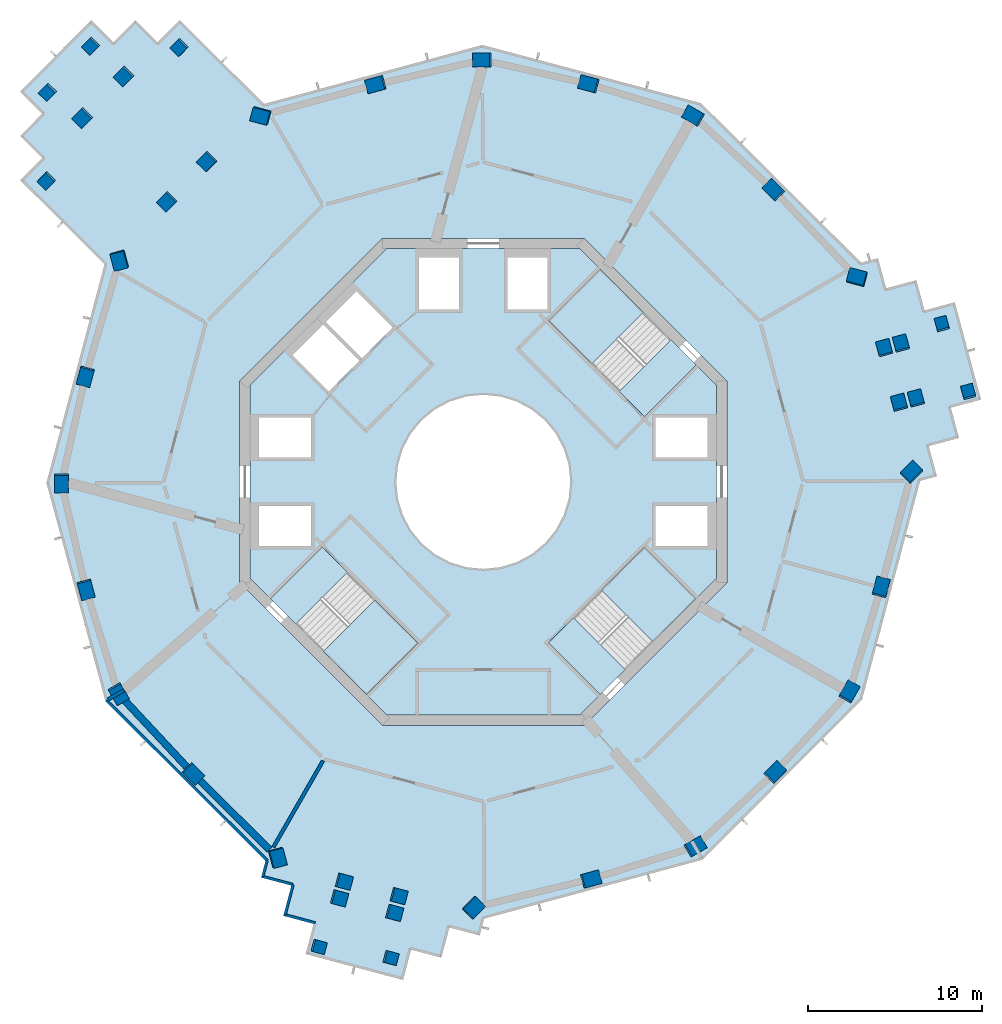
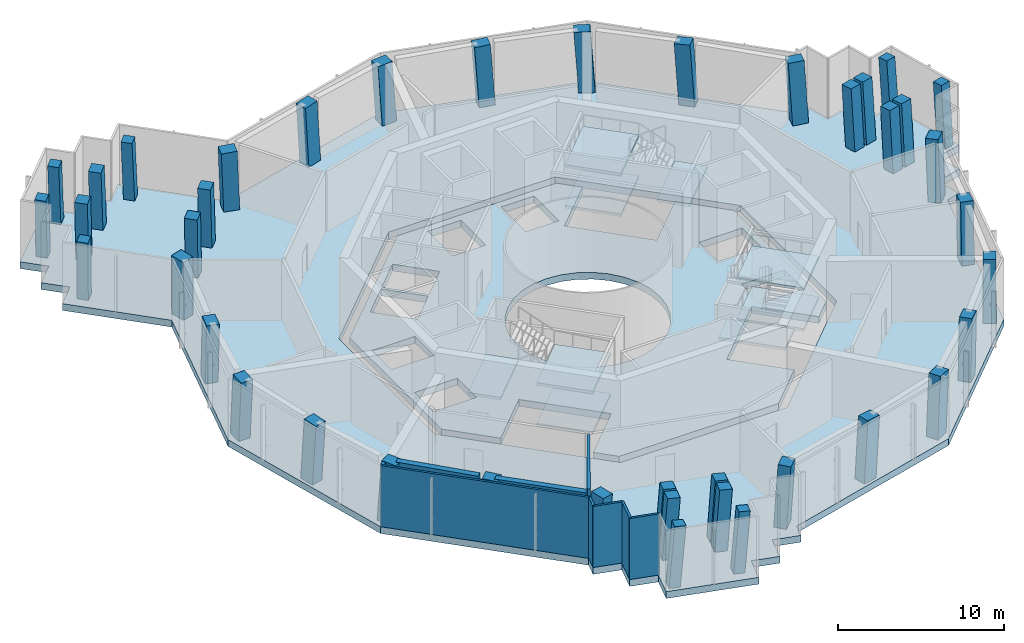
# One storey, part 1 of 16: 41 columns, 11 slabs, 9 walls, 3 elements without a shape of their own.
"""IFC4 building model written with IfcOpenShell, lengths in metres."""

from ifc_helpers import new_model, si_unit, direction, frame, frame_2d, origin, origin_2d, place, context, subcontext, project, spatial, polyline, rectangle, outline, extrude, material, layer, layer_set, material_profile, profile_set, type_object, element, aggregate, save


model = new_model("IFC4")

# Units and contexts
model_context = context("Model", 3, precision=1e-05, world=origin(), true_north=direction((0.0, 1.0)))
body_context = subcontext(model_context, "Body", "Model", "MODEL_VIEW")
ifc_project = project(units=[si_unit("LENGTHUNIT", "METRE"), si_unit("AREAUNIT", "SQUARE_METRE"), si_unit("VOLUMEUNIT", "CUBIC_METRE"), si_unit("PLANEANGLEUNIT", "RADIAN"), si_unit("MASSUNIT", "GRAM", prefix="KILO")], contexts=[model_context])

# Site, building, storey
site_placement = place(None, origin())
site = spatial("IfcSite", under=ifc_project, at=site_placement, CompositionType="ELEMENT")
building_placement = place(site_placement, origin())
building = spatial("IfcBuilding", under=site, at=building_placement, Name="Verdalira Terraces Hotel", CompositionType="ELEMENT")
storey_placement = place(building_placement, frame((0.0, 0.0, 216.0)))
storey = spatial("IfcBuildingStorey", under=building, at=storey_placement, Name="L53", CompositionType="ELEMENT", Elevation=216.0)

# Columns
ifc_material_1 = material(Name="Concrete C60", Category="concrete")
ifc_material_profile_1 = material_profile(ifc_material_1, rectangle(XDim=1.0, YDim=0.800049, at=origin_2d()), Name="RC 1000X800")
ifc_profile_set_1 = profile_set([ifc_material_profile_1], Name="Concrete C60")
column_type_1 = type_object("IfcColumnType", Name="Column RC 1000X800 C60", PredefinedType="COLUMN", material=ifc_profile_set_1)
column_1_placement = place(storey_placement, frame((-20.90625, 12.746338, 0.0), z_axis=(-0.035020289, -0.058511488, 0.997672283), x_axis=(-0.262611491, 0.963741459, 0.047303325)))
element("IfcColumn", 1, at=column_1_placement, inside=storey, type_object=column_type_1, Name="Column C03", PredefinedType="COLUMN", context=body_context, shape_type="SweptSolid", body=[
    extrude(rectangle(XDim=1.0, YDim=0.800049, at=origin_2d()), origin(), (0.0, 0.0, 1.0), 4.510498),
])
column_2_placement = place(storey_placement, frame((-22.86499, 6.075439, 0.0), z_axis=(-0.016403011, -0.063879714, 0.997822792), x_axis=(-0.256291966, -0.964346959, -0.065949755)))
element("IfcColumn", 2, at=column_2_placement, inside=storey, type_object=column_type_1, Name="Column C04", PredefinedType="COLUMN", context=body_context, shape_type="SweptSolid", body=[
    extrude(rectangle(XDim=1.0, YDim=0.800049, at=origin_2d()), origin(), (0.0, 0.0, 1.0), 4.509766),
])
column_3_placement = place(storey_placement, frame((-24.254639, -0.050781, 0.0), z_axis=(0.000703681, -0.067607529, 0.997711745), x_axis=(-0.001987356, 0.997709928, 0.067608807)))
element("IfcColumn", 3, at=column_3_placement, inside=storey, type_object=column_type_1, Name="Column C05", PredefinedType="COLUMN", context=body_context, shape_type="SweptSolid", body=[
    extrude(rectangle(XDim=1.0, YDim=0.800049, at=origin_2d()), origin(), (0.0, 0.0, 1.0), 4.510254),
])
column_4_placement = place(storey_placement, frame((-22.839355, -6.171143, 0.0), z_axis=(0.017702295, -0.063500893, 0.997824767), x_axis=(0.259853033, -0.963395543, -0.065919863)))
element("IfcColumn", 4, at=column_4_placement, inside=storey, type_object=column_type_1, Name="Column C06", PredefinedType="COLUMN", context=body_context, shape_type="SweptSolid", body=[
    extrude(rectangle(XDim=1.0, YDim=0.800049, at=origin_2d()), origin(), (0.0, 0.0, 1.0), 4.509766),
])
column_5_placement = place(storey_placement, frame((-20.979736, -12.171387, 0.0), z_axis=(0.034372297, -0.058135192, 0.997716816), x_axis=(-0.500537548, 0.863076665, 0.067533945)))
element("IfcColumn", 5, at=column_5_placement, inside=storey, type_object=column_type_1, Name="Column C07", PredefinedType="COLUMN", context=body_context, shape_type="SweptSolid", body=[
    extrude(rectangle(XDim=1.0, YDim=0.800049, at=origin_2d()), origin(), (0.0, 0.0, 1.0), 4.510254),
])
column_6_placement = place(storey_placement, frame((-16.693848, -16.763916, 0.0), z_axis=(0.047097852, -0.046123414, 0.997824846), x_axis=(0.707006185, -0.704128528, -0.065918668)))
element("IfcColumn", 6, at=column_6_placement, inside=storey, type_object=column_type_1, Name="Column C08", PredefinedType="COLUMN", context=body_context, shape_type="SweptSolid", body=[
    extrude(rectangle(XDim=1.0, YDim=0.800049, at=origin_2d()), origin(), (0.0, 0.0, 1.0), 4.509766),
])
for number, where, z_axis, x_axis, name in (
    (7, (-11.842529, -21.594971, 0.0), (0.060404321, -0.032475441, 0.99764556), (-0.25821904, 0.964940247, 0.047045171), "Column C09"),
    (8, (-0.585693, -24.478516, 0.0), (0.068254046, -0.001082538, 0.997667386), (-0.703405804, -0.709209397, 0.047353002), "Column C12"),
):
    element("IfcColumn", number, at=place(storey_placement, frame(where, z_axis=z_axis, x_axis=x_axis)), inside=storey, type_object=column_type_1, Name=name, PredefinedType="COLUMN", context=body_context, shape_type="SweptSolid", body=[
        extrude(rectangle(XDim=1.0, YDim=0.800049, at=origin_2d()), origin(), (0.0, 0.0, 1.0), 4.510498),
    ])
column_7_placement = place(storey_placement, frame((6.171143, -22.839355, 0.0), z_axis=(0.063500893, 0.017702295, 0.997824767), x_axis=(0.963395543, 0.259853033, -0.065919863)))
element("IfcColumn", 9, at=column_7_placement, inside=storey, type_object=column_type_1, Name="Column C13", PredefinedType="COLUMN", context=body_context, shape_type="SweptSolid", body=[
    extrude(rectangle(XDim=1.0, YDim=0.800049, at=origin_2d()), origin(), (0.0, 0.0, 1.0), 4.509766),
])
column_8_placement = place(storey_placement, frame((12.171387, -20.979736, 0.0), z_axis=(0.058135192, 0.034372297, 0.997716816), x_axis=(-0.863076665, -0.500537548, 0.067533945)))
element("IfcColumn", 10, at=column_8_placement, inside=storey, type_object=column_type_1, Name="Column C14", PredefinedType="COLUMN", context=body_context, shape_type="SweptSolid", body=[
    extrude(rectangle(XDim=1.0, YDim=0.800049, at=origin_2d()), origin(), (0.0, 0.0, 1.0), 4.510254),
])
column_9_placement = place(storey_placement, frame((16.763916, -16.693848, 0.0), z_axis=(0.046123414, 0.047097852, 0.997824846), x_axis=(0.704128528, 0.707006185, -0.065918668)))
element("IfcColumn", 11, at=column_9_placement, inside=storey, type_object=column_type_1, Name="Column C15", PredefinedType="COLUMN", context=body_context, shape_type="SweptSolid", body=[
    extrude(rectangle(XDim=1.0, YDim=0.800049, at=origin_2d()), origin(), (0.0, 0.0, 1.0), 4.509766),
])
column_10_placement = place(storey_placement, frame((21.030518, -12.083496, 0.0), z_axis=(0.033181309, 0.058892764, 0.997712706), x_axis=(-0.497044856, -0.865088075, 0.067594636)))
element("IfcColumn", 12, at=column_10_placement, inside=storey, type_object=column_type_1, Name="Column C16", PredefinedType="COLUMN", context=body_context, shape_type="SweptSolid", body=[
    extrude(rectangle(XDim=1.0, YDim=0.800049, at=origin_2d()), origin(), (0.0, 0.0, 1.0), 4.510254),
])
column_11_placement = place(storey_placement, frame((22.86499, -6.075439, 0.0), z_axis=(0.016403011, 0.063879714, 0.997822792), x_axis=(0.256291966, 0.964346959, -0.065949755)))
element("IfcColumn", 13, at=column_11_placement, inside=storey, type_object=column_type_1, Name="Column C17", PredefinedType="COLUMN", context=body_context, shape_type="SweptSolid", body=[
    extrude(rectangle(XDim=1.0, YDim=0.800049, at=origin_2d()), origin(), (0.0, 0.0, 1.0), 4.509766),
])
column_12_placement = place(storey_placement, frame((24.623047, 0.541504, 0.0), z_axis=(-0.002056774, 0.068577179, 0.997643694), x_axis=(-0.706776181, -0.705869981, 0.04706379)))
element("IfcColumn", 14, at=column_12_placement, inside=storey, type_object=column_type_1, Name="Column C18", PredefinedType="COLUMN", context=body_context, shape_type="SweptSolid", body=[
    extrude(rectangle(XDim=1.0, YDim=0.800049, at=origin_2d()), origin(), (0.0, 0.0, 1.0), 4.510742),
])
column_13_placement = place(storey_placement, frame((21.491699, 11.732178, 0.0), z_axis=(-0.033179926, 0.059593961, 0.997671114), x_axis=(0.965969708, -0.25429077, 0.047315189)))
element("IfcColumn", 15, at=column_13_placement, inside=storey, type_object=column_type_1, Name="Column C21", PredefinedType="COLUMN", context=body_context, shape_type="SweptSolid", body=[
    extrude(rectangle(XDim=1.0, YDim=0.800049, at=origin_2d()), origin(), (0.0, 0.0, 1.0), 4.510498),
])
column_14_placement = place(storey_placement, frame((16.693848, 16.763916, 0.0), z_axis=(-0.047097852, 0.046123414, 0.997824846), x_axis=(-0.707006185, 0.704128528, -0.065918668)))
element("IfcColumn", 16, at=column_14_placement, inside=storey, type_object=column_type_1, Name="Column C22", PredefinedType="COLUMN", context=body_context, shape_type="SweptSolid", body=[
    extrude(rectangle(XDim=1.0, YDim=0.800049, at=origin_2d()), origin(), (0.0, 0.0, 1.0), 4.509766),
])
column_15_placement = place(storey_placement, frame((12.083496, 21.030518, 0.0), z_axis=(-0.058892764, 0.033181309, 0.997712706), x_axis=(0.865088075, -0.497044856, 0.067594636)))
element("IfcColumn", 17, at=column_15_placement, inside=storey, type_object=column_type_1, Name="Column C23", PredefinedType="COLUMN", context=body_context, shape_type="SweptSolid", body=[
    extrude(rectangle(XDim=1.0, YDim=0.800049, at=origin_2d()), origin(), (0.0, 0.0, 1.0), 4.510254),
])
column_16_placement = place(storey_placement, frame((6.075439, 22.86499, 0.0), z_axis=(-0.063879714, 0.016403011, 0.997822792), x_axis=(-0.964346959, 0.256291966, -0.065949755)))
element("IfcColumn", 18, at=column_16_placement, inside=storey, type_object=column_type_1, Name="Column C24", PredefinedType="COLUMN", context=body_context, shape_type="SweptSolid", body=[
    extrude(rectangle(XDim=1.0, YDim=0.800049, at=origin_2d()), origin(), (0.0, 0.0, 1.0), 4.509766),
])
column_17_placement = place(storey_placement, frame((-0.050781, 24.254639, 0.0), z_axis=(-0.067607529, -0.000703681, 0.997711745), x_axis=(0.997709928, 0.001987356, 0.067608807)))
element("IfcColumn", 19, at=column_17_placement, inside=storey, type_object=column_type_1, Name="Column C25", PredefinedType="COLUMN", context=body_context, shape_type="SweptSolid", body=[
    extrude(rectangle(XDim=1.0, YDim=0.800049, at=origin_2d()), origin(), (0.0, 0.0, 1.0), 4.510254),
])
column_18_placement = place(storey_placement, frame((-6.171143, 22.839355, 0.0), z_axis=(-0.063500893, -0.017702295, 0.997824767), x_axis=(-0.963395543, -0.259853033, -0.065919863)))
element("IfcColumn", 20, at=column_18_placement, inside=storey, type_object=column_type_1, Name="Column C26", PredefinedType="COLUMN", context=body_context, shape_type="SweptSolid", body=[
    extrude(rectangle(XDim=1.0, YDim=0.800049, at=origin_2d()), origin(), (0.0, 0.0, 1.0), 4.509766),
])
column_19_placement = place(storey_placement, frame((-12.780518, 21.053467, 0.0), z_axis=(-0.058347413, -0.036101785, 0.997643343), x_axis=(0.964819199, -0.258666934, 0.047067288)))
element("IfcColumn", 21, at=column_19_placement, inside=storey, type_object=column_type_1, Name="Column C27", PredefinedType="COLUMN", context=body_context, shape_type="SweptSolid", body=[
    extrude(rectangle(XDim=1.0, YDim=0.800049, at=origin_2d()), origin(), (0.0, 0.0, 1.0), 4.510742),
])
ifc_material_2 = material(Name="Concrete C60", Category="concrete")
ifc_material_profile_2 = material_profile(ifc_material_2, rectangle(XDim=0.699951, YDim=0.699951, at=origin_2d()), Name="RC 700X700")
ifc_profile_set_2 = profile_set([ifc_material_profile_2], Name="Concrete C60")
column_type_2 = type_object("IfcColumnType", Name="Column RC 700X700 C60", PredefinedType="COLUMN", material=ifc_profile_set_2)
for number, where, z_axis, x_axis, name in (
    (22, (-17.443359, 24.991211, 0.0), (-0.069140294, -0.049084743, 0.996398669), (-0.707395322, 0.706673977, -0.014274015), "Column C01"),
    (23, (-25.092285, 17.338379, 0.0), (-0.047679064, -0.070167149, 0.996395141), (0.709027123, -0.70500599, -0.015719176), "Column C02"),
):
    element("IfcColumn", number, at=place(storey_placement, frame(where, z_axis=z_axis, x_axis=x_axis)), inside=storey, type_object=column_type_2, Name=name, PredefinedType="COLUMN", context=body_context, shape_type="SweptSolid", body=[
        extrude(rectangle(XDim=0.699951, YDim=0.699951, at=origin_2d()), origin(), (0.0, 0.0, 1.0), 4.516357),
    ])
column_20_placement = place(storey_placement, frame((-9.479492, -26.720215, 0.0), z_axis=(0.074636084, -0.025744041, 0.996878478), x_axis=(0.963681553, -0.255181855, -0.07874062)))
element("IfcColumn", 24, at=column_20_placement, inside=storey, type_object=column_type_2, Name="Column C10", PredefinedType="COLUMN", context=body_context, shape_type="SweptSolid", body=[
    extrude(rectangle(XDim=0.699951, YDim=0.699951, at=origin_2d()), origin(), (0.0, 0.0, 1.0), 4.51416),
])
column_21_placement = place(storey_placement, frame((-5.345947, -27.363037, 0.0), z_axis=(0.076266771, -0.014279736, 0.99698519), x_axis=(0.963317277, -0.256969699, -0.077371819)))
element("IfcColumn", 25, at=column_21_placement, inside=storey, type_object=column_type_2, Name="Column C11", PredefinedType="COLUMN", context=body_context, shape_type="SweptSolid", body=[
    extrude(rectangle(XDim=0.699951, YDim=0.699951, at=origin_2d()), origin(), (0.0, 0.0, 1.0), 4.513672),
])
column_22_placement = place(storey_placement, frame((27.879883, 5.150635, 0.0), z_axis=(-0.014927245, 0.077502691, 0.996880389), x_axis=(-0.25971452, 0.962471856, -0.078716546)))
element("IfcColumn", 26, at=column_22_placement, inside=storey, type_object=column_type_2, Name="Column C19", PredefinedType="COLUMN", context=body_context, shape_type="SweptSolid", body=[
    extrude(rectangle(XDim=0.699951, YDim=0.699951, at=origin_2d()), origin(), (0.0, 0.0, 1.0), 4.51416),
])
column_23_placement = place(storey_placement, frame((26.370117, 9.051758, 0.0), z_axis=(-0.025800873, 0.073183609, 0.996984691), x_axis=(-0.259536748, 0.962628324, -0.077378209)))
element("IfcColumn", 27, at=column_23_placement, inside=storey, type_object=column_type_2, Name="Column C20", PredefinedType="COLUMN", context=body_context, shape_type="SweptSolid", body=[
    extrude(rectangle(XDim=0.699951, YDim=0.699951, at=origin_2d()), origin(), (0.0, 0.0, 1.0), 4.513672),
])
for number, where, z_axis, x_axis, name in (
    (28, (-22.534912, 25.07959, 0.0), (-0.06913888, -0.063251272, 0.995599865), (-0.70182538, -0.706172695, -0.093601601), "Column C28"),
    (29, (-25.018311, 22.429688, 0.0), (-0.061794559, -0.070059041, 0.99562702), (-0.703123189, -0.704927959, -0.093243516), "Column C29"),
):
    element("IfcColumn", number, at=place(storey_placement, frame(where, z_axis=z_axis, x_axis=x_axis)), inside=storey, type_object=column_type_2, Name=name, PredefinedType="COLUMN", context=body_context, shape_type="SweptSolid", body=[
        extrude(rectangle(XDim=0.699951, YDim=0.699951, at=origin_2d()), origin(), (0.0, 0.0, 1.0), 4.519775),
    ])
ifc_material_3 = material(Name="Concrete C60", Category="concrete")
ifc_material_profile_3 = material_profile(ifc_material_3, rectangle(XDim=0.800049, YDim=0.800049, at=origin_2d()), Name="RC 800X800")
ifc_profile_set_3 = profile_set([ifc_material_profile_3], Name="Concrete C60")
column_type_3 = type_object("IfcColumnType", Name="Column RC 800X800 C60", PredefinedType="COLUMN", material=ifc_profile_set_3)
for number, where, z_axis, x_axis, name in (
    (30, (-15.87915, 18.432617, 0.0), (-0.050989241, -0.044656183, 0.997700317), (-0.708209639, 0.705987247, -0.004594944), "Column C30"),
    (31, (-18.177002, 16.125244, 0.0), (-0.044493996, -0.051043599, 0.997704784), (-0.709023934, 0.705170329, 0.004457354), "Column C31"),
):
    element("IfcColumn", number, at=place(storey_placement, frame(where, z_axis=z_axis, x_axis=x_axis)), inside=storey, type_object=column_type_3, Name=name, PredefinedType="COLUMN", context=body_context, shape_type="SweptSolid", body=[
        extrude(rectangle(XDim=0.800049, YDim=0.800049, at=origin_2d()), origin(), (0.0, 0.0, 1.0), 4.510254),
    ])
for number, where, z_axis, x_axis, name in (
    (32, (-20.642578, 23.337646, 0.0), (-0.06442691, -0.05794098, 0.996238935), (-0.708199958, 0.705996007, -0.004738858), "Column C32"),
    (33, (-23.020996, 20.949219, 0.0), (-0.057778971, -0.064535165, 0.996241338), (-0.708659094, 0.705536035, 0.004603595), "Column C33"),
):
    element("IfcColumn", number, at=place(storey_placement, frame(where, z_axis=z_axis, x_axis=x_axis)), inside=storey, type_object=column_type_3, Name=name, PredefinedType="COLUMN", context=body_context, shape_type="SweptSolid", body=[
        extrude(rectangle(XDim=0.800049, YDim=0.800049, at=origin_2d()), origin(), (0.0, 0.0, 1.0), 4.51709),
    ])
column_24_placement = place(storey_placement, frame((-8.023682, -22.968018, 0.0), z_axis=(0.06419655, -0.021813836, 0.997698832), x_axis=(-0.256950571, -0.966413616, -0.004596425)))
element("IfcColumn", 34, at=column_24_placement, inside=storey, type_object=column_type_3, Name="Column C34", PredefinedType="COLUMN", context=body_context, shape_type="SweptSolid", body=[
    extrude(rectangle(XDim=0.800049, YDim=0.800049, at=origin_2d()), origin(), (0.0, 0.0, 1.0), 4.510498),
])
column_25_placement = place(storey_placement, frame((-4.876465, -23.804443, 0.0), z_axis=(0.066470286, -0.012990935, 0.997703832), x_axis=(-0.2558505, -0.96670608, 0.004458277)))
element("IfcColumn", 35, at=column_25_placement, inside=storey, type_object=column_type_3, Name="Column C35", PredefinedType="COLUMN", context=body_context, shape_type="SweptSolid", body=[
    extrude(rectangle(XDim=0.800049, YDim=0.800049, at=origin_2d()), origin(), (0.0, 0.0, 1.0), 4.510254),
])
for number, where, z_axis, x_axis, name in (
    (36, (-8.296631, -23.93042, 0.0), (0.066836196, -0.022513245, 0.997509938), (-0.256674774, -0.966486814, -0.004615081), "Column C36"),
    (37, (-5.133301, -24.770752, 0.0), (0.069163335, -0.013746078, 0.997510641), (-0.25671355, -0.966477146, 0.00448105), "Column C37"),
):
    element("IfcColumn", number, at=place(storey_placement, frame(where, z_axis=z_axis, x_axis=x_axis)), inside=storey, type_object=column_type_3, Name=name, PredefinedType="COLUMN", context=body_context, shape_type="SweptSolid", body=[
        extrude(rectangle(XDim=0.800049, YDim=0.800049, at=origin_2d()), origin(), (0.0, 0.0, 1.0), 4.51123),
    ])
for number, where, z_axis, x_axis, name in (
    (38, (23.902832, 4.5354, 0.0), (-0.013207413, 0.066470097, 0.997701003), (0.965387729, 0.2607785, -0.00459426), "Column C38"),
    (39, (23.053467, 7.679199, 0.0), (-0.021976373, 0.064034603, 0.997705672), (0.965115224, 0.261787593, 0.004456492), "Column C39"),
):
    element("IfcColumn", number, at=place(storey_placement, frame(where, z_axis=z_axis, x_axis=x_axis)), inside=storey, type_object=column_type_3, Name=name, PredefinedType="COLUMN", context=body_context, shape_type="SweptSolid", body=[
        extrude(rectangle(XDim=0.800049, YDim=0.800049, at=origin_2d()), origin(), (0.0, 0.0, 1.0), 4.510254),
    ])
for number, where, z_axis, x_axis, name in (
    (40, (24.872559, 4.780029, 0.0), (-0.013908402, 0.06916318, 0.997508401), (0.965403443, 0.260719926, -0.004616503), "Column C40"),
    (41, (24.018799, 7.939941, 0.0), (-0.022675681, 0.066728197, 0.997513489), (0.965305897, 0.261083259, 0.004478489), "Column C41"),
):
    element("IfcColumn", number, at=place(storey_placement, frame(where, z_axis=z_axis, x_axis=x_axis)), inside=storey, type_object=column_type_3, Name=name, PredefinedType="COLUMN", context=body_context, shape_type="SweptSolid", body=[
        extrude(rectangle(XDim=0.800049, YDim=0.800049, at=origin_2d()), origin(), (0.0, 0.0, 1.0), 4.51123),
    ])

# Slab
ifc_material_4 = material(Name="Concrete C40", Category="concrete")
ifc_layer_1 = layer(ifc_material_4, 0.5)
ifc_layer_set_1 = layer_set([ifc_layer_1], Name="Core floor slab 500 mm")
slab_type_1 = type_object("IfcSlabType", Name="Core floor slab 500 mm", PredefinedType="FLOOR", material=ifc_layer_set_1)
slab_1_placement = place(storey_placement, frame((0.0, 0.0, -0.5)))
element("IfcSlab", 42, at=slab_1_placement, inside=storey, type_object=slab_type_1, Name="L53 core floor", PredefinedType="FLOOR", context=body_context, shape_type="SweptSolid", body=[
    extrude(outline(polyline([(-6.703369, -12.24707), (-3.719482, -9.263184), (-7.799072, -5.18335), (-10.782959, -8.16748), (-13.399902, -5.550537), (-13.399902, 5.550537), (-5.550537, 13.399902), (5.550537, 13.399902), (6.703369, 12.24707), (3.719482, 9.263184), (7.799072, 5.18335), (10.782959, 8.16748), (13.399902, 5.550537), (13.399902, -5.550537), (12.24707, -6.703369), (9.263184, -3.719482), (5.18335, -7.799072), (8.16748, -10.782959), (5.550537, -13.399902), (-5.550537, -13.399902), (-6.703369, -12.24707)]), holes=[polyline([(9.899902, -1.399902), (9.899902, -3.699951), (12.899902, -3.699951), (12.899902, -1.399902), (9.899902, -1.399902)]), polyline([(9.899902, 3.699951), (9.899902, 1.399902), (12.899902, 1.399902), (12.899902, 3.699951), (9.899902, 3.699951)]), polyline([(3.699951, 12.899902), (1.399902, 12.899902), (1.399902, 9.899902), (3.699951, 9.899902), (3.699951, 12.899902)]), polyline([(-1.399902, 12.899902), (-3.699951, 12.899902), (-3.699951, 9.899902), (-1.399902, 9.899902), (-1.399902, 12.899902)]), polyline([(-9.899902, 1.399902), (-9.899902, 3.699951), (-12.899902, 3.699951), (-12.899902, 1.399902), (-9.899902, 1.399902)]), polyline([(-9.899902, -3.699951), (-9.899902, -1.399902), (-12.899902, -1.399902), (-12.899902, -3.699951), (-9.899902, -3.699951)]), polyline([(-9.051025, 9.192383), (-6.965088, 7.106445), (-5.197266, 8.874268), (-7.283203, 10.960205), (-9.051025, 9.192383)]), polyline([(-9.192383, 9.051025), (-10.960205, 7.283203), (-8.874268, 5.197266), (-7.106445, 6.965088), (-9.192383, 9.051025)]), polyline([(3.5354, 3.5354), (2.777832, 4.157227), (1.91333, 4.619385), (0.975586, 4.903809), (0.0, 5.0), (-0.975586, 4.903809), (-1.91333, 4.619385), (-2.777832, 4.157227), (-3.5354, 3.5354), (-4.157227, 2.777832), (-4.619385, 1.91333), (-4.903809, 0.975586), (-5.0, 0.0), (-4.903809, -0.975586), (-4.619385, -1.91333), (-4.157227, -2.777832), (-3.5354, -3.5354), (-2.777832, -4.157227), (-1.91333, -4.619385), (-0.975586, -4.903809), (0.0, -5.0), (0.975586, -4.903809), (1.91333, -4.619385), (2.777832, -4.157227), (3.5354, -3.5354), (4.157227, -2.777832), (4.619385, -1.91333), (4.903809, -0.975586), (5.0, 0.0), (4.903809, 0.975586), (4.619385, 1.91333), (4.157227, 2.777832), (3.5354, 3.5354)])]), origin(), (0.0, 0.0, 1.0), 0.5),
])

# Stair, slabs
ifc_material_5 = material(Name="Concrete C40", Category="concrete")
stair_type = type_object("IfcStairType", Name="Core stair 36 risers 2050 mm wide", PredefinedType="HALF_TURN_STAIR", material=ifc_material_5)
stair_1_placement = place(storey_placement, origin())
stair_1 = element("IfcStair", 43, at=stair_1_placement, inside=storey, type_object=stair_type, Name="L53 Exit stair ST1", PredefinedType="HALF_TURN_STAIR")
ifc_material_6 = material(Name="Concrete C40", Category="concrete")
ifc_layer_2 = layer(ifc_material_6, 0.199951171875)
ifc_layer_set_2 = layer_set([ifc_layer_2], Name="Core stair landing 200 mm")
slab_type_2 = type_object("IfcSlabType", Name="Core stair landing 200 mm", PredefinedType="LANDING", material=ifc_layer_set_2)
slab_2_placement = place(storey_placement, frame((0.0, 0.0, 1.300049)))
slab_2 = element("IfcSlab", 44, at=slab_2_placement, type_object=slab_type_2, Name="ST1 landing 1", PredefinedType="LANDING", context=body_context, shape_type="SweptSolid", body=[
    extrude(outline(polyline([(9.199707, 9.750732), (6.717529, 12.23291), (3.747559, 9.263184), (6.22998, 6.780762), (9.199707, 9.750732)])), origin(), (0.0, 0.0, 1.0), 0.199951),
])
slab_3_placement = place(storey_placement, frame((0.0, 0.0, 2.800049)))
slab_3 = element("IfcSlab", 45, at=slab_3_placement, type_object=slab_type_2, Name="ST1 landing 2", PredefinedType="LANDING", context=body_context, shape_type="SweptSolid", body=[
    extrude(outline(polyline([(12.23291, 6.717529), (10.782959, 8.16748), (7.813232, 5.19751), (9.263184, 3.747559), (12.23291, 6.717529)])), origin(), (0.0, 0.0, 1.0), 0.199951),
])
slab_4_placement = place(storey_placement, frame((0.0, 0.0, 4.300049)))
slab_4 = element("IfcSlab", 46, at=slab_4_placement, type_object=slab_type_2, Name="ST1 landing 3", PredefinedType="LANDING", context=body_context, shape_type="SweptSolid", body=[
    extrude(outline(polyline([(9.199707, 9.750732), (6.717529, 12.23291), (3.747559, 9.263184), (6.22998, 6.780762), (9.199707, 9.750732)])), origin(), (0.0, 0.0, 1.0), 0.199951),
])
aggregate(stair_1, [slab_2, slab_3, slab_4])

stair_2_placement = place(storey_placement, origin())
stair_2 = element("IfcStair", 47, at=stair_2_placement, inside=storey, type_object=stair_type, Name="L53 Exit stair ST2", PredefinedType="HALF_TURN_STAIR")
slab_5_placement = place(storey_placement, frame((0.0, 0.0, 1.300049)))
slab_5 = element("IfcSlab", 48, at=slab_5_placement, type_object=slab_type_2, Name="ST2 landing 1", PredefinedType="LANDING", context=body_context, shape_type="SweptSolid", body=[
    extrude(outline(polyline([(-9.199707, -9.750732), (-6.717529, -12.23291), (-3.747559, -9.263184), (-6.22998, -6.780762), (-9.199707, -9.750732)])), origin(), (0.0, 0.0, 1.0), 0.199951),
])
slab_6_placement = place(storey_placement, frame((0.0, 0.0, 2.800049)))
slab_6 = element("IfcSlab", 49, at=slab_6_placement, type_object=slab_type_2, Name="ST2 landing 2", PredefinedType="LANDING", context=body_context, shape_type="SweptSolid", body=[
    extrude(outline(polyline([(-12.23291, -6.717529), (-10.782959, -8.16748), (-7.813232, -5.19751), (-9.263184, -3.747559), (-12.23291, -6.717529)])), origin(), (0.0, 0.0, 1.0), 0.199951),
])
slab_7_placement = place(storey_placement, frame((0.0, 0.0, 4.300049)))
slab_7 = element("IfcSlab", 50, at=slab_7_placement, type_object=slab_type_2, Name="ST2 landing 3", PredefinedType="LANDING", context=body_context, shape_type="SweptSolid", body=[
    extrude(outline(polyline([(-9.199707, -9.750732), (-6.717529, -12.23291), (-3.747559, -9.263184), (-6.22998, -6.780762), (-9.199707, -9.750732)])), origin(), (0.0, 0.0, 1.0), 0.199951),
])
aggregate(stair_2, [slab_5, slab_6, slab_7])

stair_3_placement = place(storey_placement, origin())
stair_3 = element("IfcStair", 51, at=stair_3_placement, inside=storey, type_object=stair_type, Name="L53 Exit stair ST3", PredefinedType="HALF_TURN_STAIR")
slab_8_placement = place(storey_placement, frame((0.0, 0.0, 1.300049)))
slab_8 = element("IfcSlab", 52, at=slab_8_placement, type_object=slab_type_2, Name="ST3 landing 1", PredefinedType="LANDING", context=body_context, shape_type="SweptSolid", body=[
    extrude(outline(polyline([(9.750732, -9.199707), (12.23291, -6.717529), (9.263184, -3.747559), (6.780762, -6.22998), (9.750732, -9.199707)])), origin(), (0.0, 0.0, 1.0), 0.199951),
])
slab_9_placement = place(storey_placement, frame((0.0, 0.0, 2.800049)))
slab_9 = element("IfcSlab", 53, at=slab_9_placement, type_object=slab_type_2, Name="ST3 landing 2", PredefinedType="LANDING", context=body_context, shape_type="SweptSolid", body=[
    extrude(outline(polyline([(6.717529, -12.23291), (8.16748, -10.782959), (5.19751, -7.813232), (3.747559, -9.263184), (6.717529, -12.23291)])), origin(), (0.0, 0.0, 1.0), 0.199951),
])
slab_10_placement = place(storey_placement, frame((0.0, 0.0, 4.300049)))
slab_10 = element("IfcSlab", 54, at=slab_10_placement, type_object=slab_type_2, Name="ST3 landing 3", PredefinedType="LANDING", context=body_context, shape_type="SweptSolid", body=[
    extrude(outline(polyline([(9.750732, -9.199707), (12.23291, -6.717529), (9.263184, -3.747559), (6.780762, -6.22998), (9.750732, -9.199707)])), origin(), (0.0, 0.0, 1.0), 0.199951),
])
aggregate(stair_3, [slab_8, slab_9, slab_10])

# Slab
ifc_material_7 = material(Name="Concrete C40", Category="concrete")
ifc_layer_3 = layer(ifc_material_7, 0.5)
ifc_layer_set_3 = layer_set([ifc_layer_3], Name="Plant floor slab 500 C40")
slab_type_3 = type_object("IfcSlabType", Name="Plant floor slab 500 C40", PredefinedType="FLOOR", material=ifc_layer_set_3)
slab_11_placement = place(storey_placement, frame((0.0, 0.0, -0.5)))
element("IfcSlab", 55, at=slab_11_placement, inside=storey, type_object=slab_type_3, Name="Plant floor slab L53", PredefinedType="FLOOR", context=body_context, shape_type="SweptSolid", body=[
    extrude(outline(polyline([(-0.05249, 25.114014), (-12.602539, 21.723145), (-17.446777, 26.546875), (-18.716797, 25.271484), (-19.992188, 26.541504), (-21.262451, 25.266113), (-22.537842, 26.536377), (-26.630371, 22.426514), (-25.35498, 21.15625), (-26.625, 19.880859), (-25.349609, 18.61084), (-26.619873, 17.335205), (-21.775635, 12.511475), (-25.114014, -0.05249), (-21.723145, -12.602539), (-12.511475, -21.775635), (-12.768311, -22.742188), (-11.028564, -23.204346), (-11.490723, -24.944092), (-9.751221, -25.40625), (-10.213379, -27.145996), (-4.60791, -28.635254), (-4.145752, -26.895752), (-2.406006, -27.35791), (-1.943848, -25.618408), (-0.204102, -26.080566), (0.05249, -25.114014), (12.602539, -21.723145), (21.775635, -12.511475), (25.114014, 0.05249), (26.079346, 0.313477), (25.609863, 2.051025), (27.347656, 2.520508), (26.878174, 4.258301), (28.615723, 4.727783), (27.102783, 10.327148), (25.365234, 9.857422), (24.895752, 11.595215), (23.157959, 11.125732), (22.688477, 12.863281), (21.723145, 12.602539), (12.511475, 21.775635), (-0.05249, 25.114014)]), holes=[polyline([(5.799072, 14.0), (14.0, 5.799072), (14.0, -5.799072), (5.799072, -14.0), (-5.799072, -14.0), (-14.0, -5.799072), (-14.0, 5.799072), (-5.799072, 14.0), (5.799072, 14.0)])]), origin(), (0.0, 0.0, 1.0), 0.5),
])

# Walls
ifc_material_8 = material(Name="Concrete C70", Category="concrete")
ifc_layer_4 = layer(ifc_material_8, 0.39990234375)
ifc_layer_set_4 = layer_set([ifc_layer_4], Name="Belt wall 400 C70")
wall_type_1 = type_object("IfcWallType", Name="Belt wall 400 C70", PredefinedType="SHEAR", material=ifc_layer_set_4)
wall_1_placement = place(storey_placement, frame((-20.586426, -12.593018, 0.0), z_axis=(0.0, 0.0, 1.0), x_axis=(0.682274678, -0.731095933, 0.0)))
element("IfcWall", 56, at=wall_1_placement, inside=storey, type_object=wall_type_1, Name="Belt wall BW-53-5", PredefinedType="SHEAR", context=body_context, shape_type="SweptSolid", body=[
    extrude(rectangle(XDim=5.190674, YDim=0.399902, at=frame_2d((2.595215, 0.0))), origin(), (0.0, 0.0, 1.0), 4.5),
])
wall_2_placement = place(storey_placement, frame((-16.3396, -17.116699, 0.0), z_axis=(0.0, 0.0, 1.0), x_axis=(0.708579493, -0.705630996, 0.0)))
element("IfcWall", 57, at=wall_2_placement, inside=storey, type_object=wall_type_1, Name="Belt wall BW-53-6", PredefinedType="SHEAR", context=body_context, shape_type="SweptSolid", body=[
    extrude(rectangle(XDim=5.713379, YDim=0.399902, at=frame_2d((2.856689, 0.0))), origin(), (0.0, 0.0, 1.0), 4.5),
])
ifc_material_9 = material(Name="Fire-rated concrete block wall", Category="concrete")
ifc_layer_5 = layer(ifc_material_9, 0.199951171875)
ifc_layer_set_5 = layer_set([ifc_layer_5], Name="Plant room wall 200 mm")
wall_type_2 = type_object("IfcWallType", Name="Plant room wall 200 mm", PredefinedType="SOLIDWALL", material=ifc_layer_set_5)
wall_3_placement = place(storey_placement, frame((-20.662842, -11.987549, 0.0), z_axis=(0.0, 0.0, 1.0), x_axis=(-0.86497011, -0.501823383, 0.0)))
element("IfcWall", 58, at=wall_3_placement, inside=storey, type_object=wall_type_2, Name="Plant room wall", PredefinedType="SOLIDWALL", context=body_context, shape_type="SweptSolid", body=[
    extrude(rectangle(XDim=1.075684, YDim=0.199951, at=frame_2d((0.537842, 0.0))), origin(), (0.0, 0.0, 1.0), 4.5),
])
wall_4_placement = place(storey_placement, frame((-9.210693, -16.030762, 0.0), z_axis=(0.0, 0.0, 1.0), x_axis=(-0.498162659, -0.867083598, 0.0)))
element("IfcWall", 59, at=wall_4_placement, inside=storey, type_object=wall_type_2, Name="Plant room wall", PredefinedType="SOLIDWALL", context=body_context, shape_type="SweptSolid", body=[
    extrude(rectangle(XDim=5.725586, YDim=0.199951, at=frame_2d((2.862793, 0.0))), origin(), (0.0, 0.0, 1.0), 4.5),
])
ifc_material_10 = material(Name="Terracotta cladding", Category="masonry")
ifc_layer_6 = layer(ifc_material_10, 0.14990234375)
ifc_layer_set_6 = layer_set([ifc_layer_6], Name="Terracotta clad wall 150")
wall_type_3 = type_object("IfcWallType", Name="Terracotta clad wall 150", PredefinedType="SOLIDWALL", material=ifc_layer_set_6)
wall_5_placement = place(storey_placement, frame((-21.670166, -12.549316, 0.0), z_axis=(0.0, 0.0, 1.0), x_axis=(0.708589659, -0.705620787, 0.0)))
element("IfcWall", 60, at=wall_5_placement, inside=storey, type_object=wall_type_3, Name="Terracotta cladding wall", PredefinedType="SOLIDWALL", context=body_context, shape_type="SweptSolid", body=[
    extrude(rectangle(XDim=13.075195, YDim=0.149902, at=frame_2d((6.537598, 0.0))), origin(), (0.0, 0.0, 1.0), 4.5),
])
wall_6_placement = place(storey_placement, frame((-12.436035, -21.783691, 0.0), z_axis=(0.0, 0.0, 1.0), x_axis=(-0.256737829, -0.966481085, 0.0)))
element("IfcWall", 61, at=wall_6_placement, inside=storey, type_object=wall_type_3, Name="Terracotta cladding wall", PredefinedType="SOLIDWALL", context=body_context, shape_type="SweptSolid", body=[
    extrude(rectangle(XDim=0.936768, YDim=0.149902, at=frame_2d((0.468262, 0.0))), origin(), (0.0, 0.0, 1.0), 4.5),
])
wall_7_placement = place(storey_placement, frame((-12.749023, -22.669678, 0.0), z_axis=(0.0, 0.0, 1.0), x_axis=(0.966476545, -0.256754917, 0.0)))
element("IfcWall", 62, at=wall_7_placement, inside=storey, type_object=wall_type_3, Name="Terracotta cladding wall", PredefinedType="SOLIDWALL", context=body_context, shape_type="SweptSolid", body=[
    extrude(rectangle(XDim=1.875, YDim=0.149902, at=frame_2d((0.9375, 0.0))), origin(), (0.0, 0.0, 1.0), 4.5),
])
wall_8_placement = place(storey_placement, frame((-10.936768, -23.151123, 0.0), z_axis=(0.0, 0.0, 1.0), x_axis=(-0.256869087, -0.966446207, 0.0)))
element("IfcWall", 63, at=wall_8_placement, inside=storey, type_object=wall_type_3, Name="Terracotta cladding wall", PredefinedType="SOLIDWALL", context=body_context, shape_type="SweptSolid", body=[
    extrude(rectangle(XDim=1.800049, YDim=0.149902, at=frame_2d((0.899902, 0.0))), origin(), (0.0, 0.0, 1.0), 4.5),
])
wall_9_placement = place(storey_placement, frame((-11.47168, -24.871582, 0.0), z_axis=(0.0, 0.0, 1.0), x_axis=(0.966476545, -0.256754917, 0.0)))
element("IfcWall", 64, at=wall_9_placement, inside=storey, type_object=wall_type_3, Name="Terracotta cladding wall", PredefinedType="SOLIDWALL", context=body_context, shape_type="SweptSolid", body=[
    extrude(rectangle(XDim=1.875, YDim=0.149902, at=frame_2d((0.9375, 0.0))), origin(), (0.0, 0.0, 1.0), 4.5),
])

save(model, "model.ifc")
